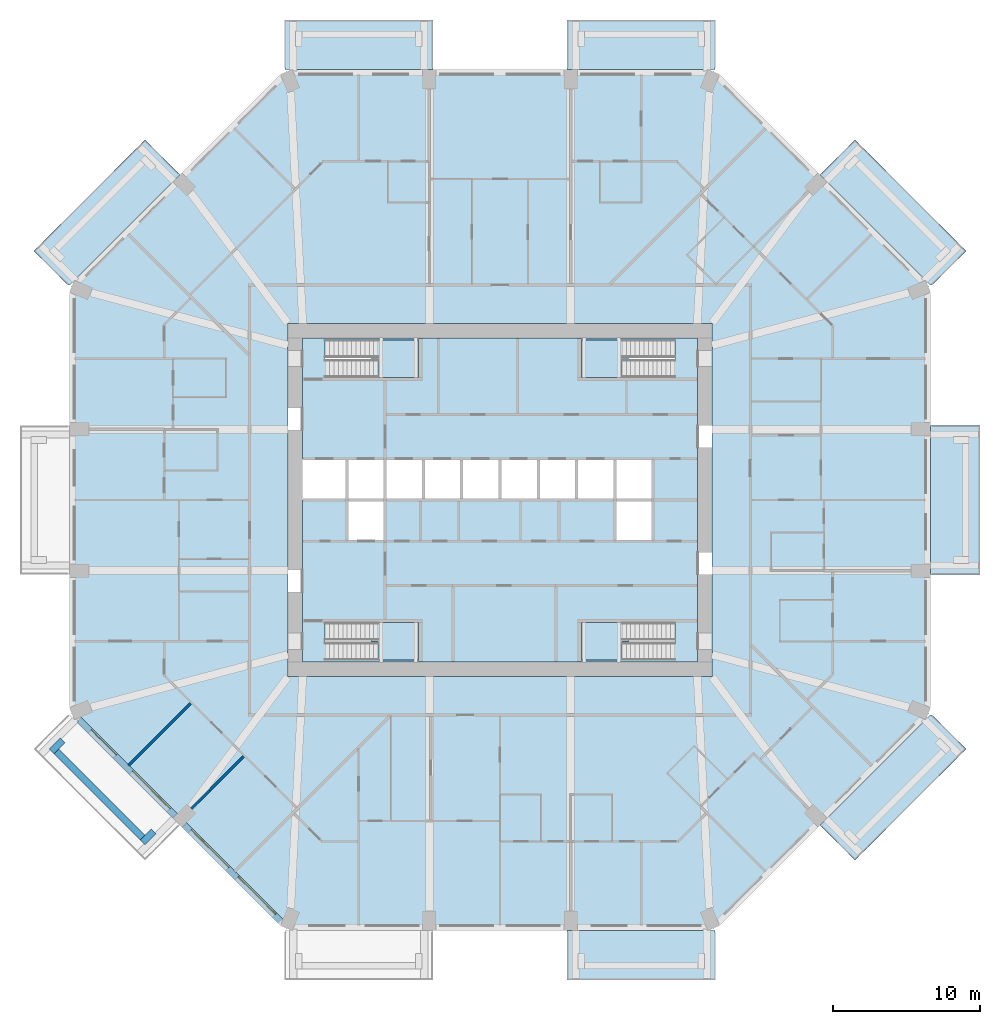
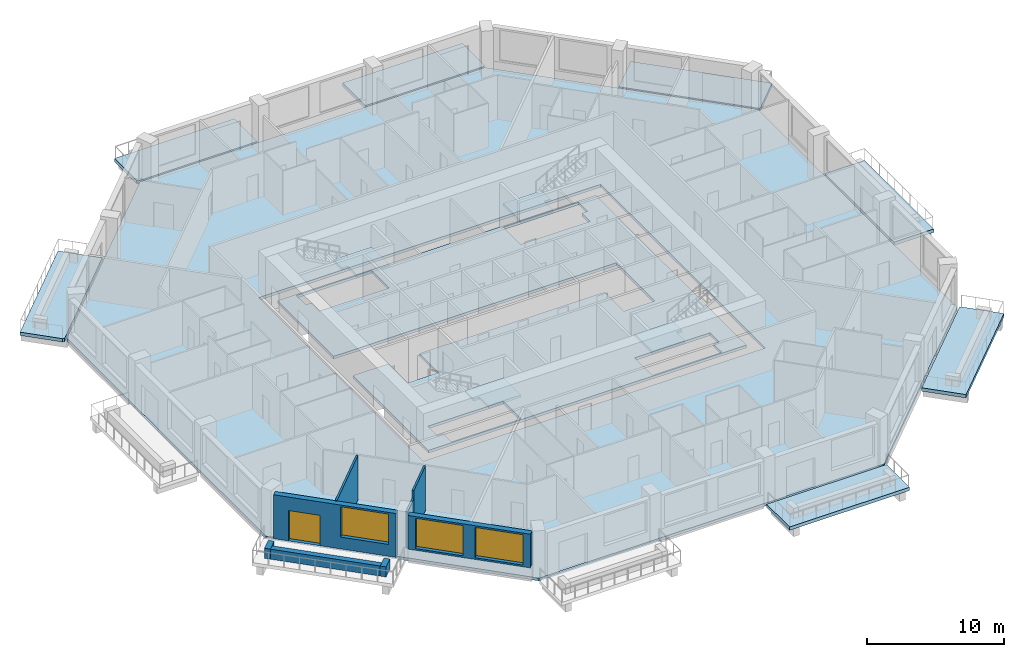
# One storey, part 2 of 13: 13 slabs, 8 walls, 3 windows, 1 door, 4 openings, 4 elements without a shape of their own.
"""IFC4 building model written with IfcOpenShell, lengths in metres."""

from ifc_helpers import new_model, si_unit, direction, frame, frame_2d, origin, place, context, subcontext, project, spatial, polyline, rectangle, outline, extrude, material, layer, layer_set, type_object, element, fill, aggregate, save


model = new_model("IFC4")

# Units and contexts
model_context = context("Model", 3, precision=1e-05, world=origin(), true_north=direction((0.0, 1.0)))
body_context = subcontext(model_context, "Body", "Model", "MODEL_VIEW")
ifc_project = project(units=[si_unit("LENGTHUNIT", "METRE"), si_unit("AREAUNIT", "SQUARE_METRE"), si_unit("VOLUMEUNIT", "CUBIC_METRE"), si_unit("PLANEANGLEUNIT", "RADIAN"), si_unit("MASSUNIT", "GRAM", prefix="KILO")], contexts=[model_context])

# Site, building, storey
site_placement = place(None, origin())
site = spatial("IfcSite", under=ifc_project, at=site_placement, CompositionType="ELEMENT")
building_placement = place(site_placement, origin())
building = spatial("IfcBuilding", under=site, at=building_placement, Name="Msitu Wima Residences", CompositionType="ELEMENT")
storey_placement = place(building_placement, frame((0.0, 0.0, 71.699951171875)))
storey = spatial("IfcBuildingStorey", under=building, at=storey_placement, Name="L16", CompositionType="ELEMENT", Elevation=71.699951171875)

# Slabs
ifc_material_1 = material(Name="Concrete C40/50", Category="concrete")
ifc_layer_1 = layer(ifc_material_1, 0.300048828125)
ifc_layer_set_1 = layer_set([ifc_layer_1], Name="Concrete C40/50")
slab_type_1 = type_object("IfcSlabType", Name="Balcony slab BS300", PredefinedType="FLOOR", material=ifc_layer_set_1)
slab_1_placement = place(storey_placement, frame((0.0, 0.0, -0.300048828125)))
element("IfcSlab", 1, at=slab_1_placement, inside=storey, type_object=slab_type_1, Name="Balcony E1 L16", PredefinedType="FLOOR", context=body_context, shape_type="SweptSolid", body=[
    extrude(outline(polyline([(29.25, -4.35009765625), (29.25, 4.35009765625), (29.25, 5.050048828125), (32.60009765625, 5.050048828125), (32.60009765625, -5.050048828125), (29.25, -5.050048828125), (29.25, -4.35009765625)])), origin(), (0.0, 0.0, 1.0), 0.300048828125),
])
slab_2_placement = place(storey_placement, frame((0.0, 0.0, -0.300048828125)))
element("IfcSlab", 2, at=slab_2_placement, inside=storey, type_object=slab_type_1, Name="Balcony NE0 L16", PredefinedType="FLOOR", context=body_context, shape_type="SweptSolid", body=[
    extrude(outline(polyline([(24.1103515625, 24.4638671875), (31.663818359375, 16.91015625), (29.403564453125, 14.64990234375), (29.25, 14.58642578125), (21.741455078125, 22.094970703125), (24.1103515625, 24.4638671875)])), origin(), (0.0, 0.0, 1.0), 0.300048828125),
])
slab_3_placement = place(storey_placement, frame((0.0, 0.0, -0.300048828125)))
element("IfcSlab", 3, at=slab_3_placement, inside=storey, type_object=slab_type_1, Name="Balcony N0 L16", PredefinedType="FLOOR", context=body_context, shape_type="SweptSolid", body=[
    extrude(outline(polyline([(14.099365234375, 29.25), (14.099365234375, 29.25), (5.25, 29.25), (4.550048828125, 29.25), (4.550048828125, 32.60009765625), (14.64990234375, 32.60009765625), (14.64990234375, 29.403564453125), (14.58642578125, 29.25), (14.099365234375, 29.25), (14.099365234375, 29.25)])), origin(), (0.0, 0.0, 1.0), 0.300048828125),
])
slab_4_placement = place(storey_placement, frame((0.0, 0.0, -0.300048828125)))
element("IfcSlab", 4, at=slab_4_placement, inside=storey, type_object=slab_type_1, Name="Balcony N2 L16", PredefinedType="FLOOR", context=body_context, shape_type="SweptSolid", body=[
    extrude(outline(polyline([(-14.099365234375, 29.25), (-14.099365234375, 29.25), (-14.099365234375, 29.25), (-14.58642578125, 29.25), (-14.64990234375, 29.403564453125), (-14.64990234375, 32.60009765625), (-4.550048828125, 32.60009765625), (-4.550048828125, 29.25), (-5.25, 29.25), (-14.099365234375, 29.25)])), origin(), (0.0, 0.0, 1.0), 0.300048828125),
])
slab_5_placement = place(storey_placement, frame((0.0, 0.0, -0.300048828125)))
element("IfcSlab", 5, at=slab_5_placement, inside=storey, type_object=slab_type_1, Name="Balcony NW1 L16", PredefinedType="FLOOR", context=body_context, shape_type="SweptSolid", body=[
    extrude(outline(polyline([(-31.663818359375, 16.91015625), (-24.1103515625, 24.4638671875), (-21.741455078125, 22.094970703125), (-29.25, 14.58642578125), (-29.403564453125, 14.64990234375), (-31.663818359375, 16.91015625)])), origin(), (0.0, 0.0, 1.0), 0.300048828125),
])
slab_6_placement = place(storey_placement, frame((0.0, 0.0, -0.300048828125)))
element("IfcSlab", 6, at=slab_6_placement, inside=storey, type_object=slab_type_1, Name="Balcony S2 L16", PredefinedType="FLOOR", context=body_context, shape_type="SweptSolid", body=[
    extrude(outline(polyline([(14.099365234375, -29.25), (14.099365234375, -29.25), (14.099365234375, -29.25), (14.58642578125, -29.25), (14.64990234375, -29.403564453125), (14.64990234375, -32.60009765625), (4.550048828125, -32.60009765625), (4.550048828125, -29.25), (5.25, -29.25), (14.099365234375, -29.25)])), origin(), (0.0, 0.0, 1.0), 0.300048828125),
])
slab_7_placement = place(storey_placement, frame((0.0, 0.0, -0.300048828125)))
element("IfcSlab", 7, at=slab_7_placement, inside=storey, type_object=slab_type_1, Name="Balcony SE1 L16", PredefinedType="FLOOR", context=body_context, shape_type="SweptSolid", body=[
    extrude(outline(polyline([(31.663818359375, -16.91015625), (24.1103515625, -24.4638671875), (21.741455078125, -22.094970703125), (29.25, -14.58642578125), (29.403564453125, -14.64990234375), (31.663818359375, -16.91015625)])), origin(), (0.0, 0.0, 1.0), 0.300048828125),
])
ifc_layer_2 = layer(ifc_material_1, 0.25)
ifc_layer_set_2 = layer_set([ifc_layer_2], Name="Concrete C40/50")
slab_type_2 = type_object("IfcSlabType", Name="Core floor CF250", PredefinedType="FLOOR", material=ifc_layer_set_2)
slab_8_placement = place(storey_placement, frame((0.0, 0.0, -0.25)))
element("IfcSlab", 8, at=slab_8_placement, inside=storey, type_object=slab_type_2, Name="Core floor", PredefinedType="FLOOR", context=body_context, shape_type="SweptSolid", body=[
    extrude(outline(polyline([(-13.39990234375, 11.0), (-13.39990234375, 2.800048828125), (-10.39990234375, 2.800048828125), (-7.800048828125, 2.800048828125), (-5.199951171875, 2.800048828125), (-2.60009765625, 2.800048828125), (0.0, 2.800048828125), (2.60009765625, 2.800048828125), (5.199951171875, 2.800048828125), (7.800048828125, 2.800048828125), (10.39990234375, 2.800048828125), (10.39990234375, 0.0), (10.39990234375, -2.800048828125), (7.800048828125, -2.800048828125), (7.800048828125, 0.0), (5.199951171875, 0.0), (2.60009765625, 0.0), (0.0, 0.0), (-2.60009765625, 0.0), (-5.199951171875, 0.0), (-7.800048828125, 0.0), (-7.800048828125, -2.800048828125), (-10.39990234375, -2.800048828125), (-10.39990234375, 0.0), (-13.39990234375, 0.0), (-13.39990234375, -11.0), (13.39990234375, -11.0), (13.39990234375, 11.0), (-13.39990234375, 11.0)]), holes=[polyline([(-11.375, -10.875), (-11.375, -9.675048828125), (-11.87451171875, -9.675048828125), (-11.87451171875, -8.324951171875), (-5.52490234375, -8.324951171875), (-5.52490234375, -10.875), (-11.375, -10.875)]), polyline([(-11.375, 9.52490234375), (-11.87451171875, 9.52490234375), (-11.87451171875, 10.875), (-5.52490234375, 10.875), (-5.52490234375, 8.324951171875), (-11.375, 8.324951171875), (-11.375, 9.52490234375)]), polyline([(11.375, -9.675048828125), (11.375, -10.875), (5.52490234375, -10.875), (5.52490234375, -8.324951171875), (11.87451171875, -8.324951171875), (11.87451171875, -9.675048828125), (11.375, -9.675048828125)]), polyline([(11.375, 9.52490234375), (11.375, 8.324951171875), (5.52490234375, 8.324951171875), (5.52490234375, 10.875), (11.87451171875, 10.875), (11.87451171875, 9.52490234375), (11.375, 9.52490234375)])]), origin(), (0.0, 0.0, 1.0), 0.25),
])
ifc_layer_3 = layer(ifc_material_1, 0.25)
ifc_layer_set_3 = layer_set([ifc_layer_3], Name="Concrete C40/50")
slab_type_3 = type_object("IfcSlabType", Name="PT flat slab 250 Concrete C40/50", PredefinedType="FLOOR", material=ifc_layer_set_3)
slab_9_placement = place(storey_placement, frame((0.0, 0.0, -0.25)))
element("IfcSlab", 9, at=slab_9_placement, inside=storey, type_object=slab_type_3, Name="Floor slab L16", PredefinedType="FLOOR", context=body_context, shape_type="SweptSolid", body=[
    extrude(outline(polyline([(29.10009765625, -14.524169921875), (14.524169921875, -29.10009765625), (-14.524169921875, -29.10009765625), (-29.10009765625, -14.524169921875), (-29.10009765625, 14.524169921875), (-14.524169921875, 29.10009765625), (14.524169921875, 29.10009765625), (29.10009765625, 14.524169921875), (29.10009765625, -14.524169921875)]), holes=[polyline([(-14.39990234375, -12.0), (14.39990234375, -12.0), (14.39990234375, 12.0), (-14.39990234375, 12.0), (-14.39990234375, -12.0)])]), origin(), (0.0, 0.0, 1.0), 0.25),
])

# Stair, slab
stair_type = type_object("IfcStairType", Name="Exit stair ES1615-120", PredefinedType="HALF_TURN_STAIR", material=ifc_material_1)
stair_1_placement = place(storey_placement, origin())
stair_1 = element("IfcStair", 10, at=stair_1_placement, inside=storey, type_object=stair_type, Name="Exit stair 1", PredefinedType="HALF_TURN_STAIR")
ifc_layer_4 = layer(ifc_material_1, 0.199951171875)
ifc_layer_set_4 = layer_set([ifc_layer_4], Name="Concrete C40/50")
slab_type_4 = type_object("IfcSlabType", Name="Stair landing SL200", PredefinedType="LANDING", material=ifc_layer_set_4)
slab_10_placement = place(storey_placement, frame((0.0, 0.0, 1.900146484375)))
slab_10 = element("IfcSlab", 11, at=slab_10_placement, type_object=slab_type_4, Name="S1 landing 1", PredefinedType="LANDING", context=body_context, shape_type="SweptSolid", body=[
    extrude(outline(polyline([(-5.52490234375, 8.324951171875), (-8.275390625, 8.324951171875), (-8.275390625, 9.60009765625), (-8.77490234375, 9.60009765625), (-8.77490234375, 10.875), (-5.52490234375, 10.875), (-5.52490234375, 8.324951171875)])), origin(), (0.0, 0.0, 1.0), 0.199951171875),
])
aggregate(stair_1, [slab_10])

stair_2_placement = place(storey_placement, origin())
stair_2 = element("IfcStair", 12, at=stair_2_placement, inside=storey, type_object=stair_type, Name="Exit stair 2", PredefinedType="HALF_TURN_STAIR")
slab_11_placement = place(storey_placement, frame((0.0, 0.0, 1.900146484375)))
slab_11 = element("IfcSlab", 13, at=slab_11_placement, type_object=slab_type_4, Name="S2 landing 1", PredefinedType="LANDING", context=body_context, shape_type="SweptSolid", body=[
    extrude(outline(polyline([(-5.52490234375, -10.875), (-8.275390625, -10.875), (-8.275390625, -9.60009765625), (-8.77490234375, -9.60009765625), (-8.77490234375, -8.324951171875), (-5.52490234375, -8.324951171875), (-5.52490234375, -10.875)])), origin(), (0.0, 0.0, 1.0), 0.199951171875),
])
aggregate(stair_2, [slab_11])

stair_3_placement = place(storey_placement, origin())
stair_3 = element("IfcStair", 14, at=stair_3_placement, inside=storey, type_object=stair_type, Name="Exit stair 3", PredefinedType="HALF_TURN_STAIR")
slab_12_placement = place(storey_placement, frame((0.0, 0.0, 1.900146484375)))
slab_12 = element("IfcSlab", 15, at=slab_12_placement, type_object=slab_type_4, Name="S3 landing 1", PredefinedType="LANDING", context=body_context, shape_type="SweptSolid", body=[
    extrude(outline(polyline([(5.52490234375, 8.324951171875), (8.275390625, 8.324951171875), (8.275390625, 9.60009765625), (8.77490234375, 9.60009765625), (8.77490234375, 10.875), (5.52490234375, 10.875), (5.52490234375, 8.324951171875)])), origin(), (0.0, 0.0, 1.0), 0.199951171875),
])
aggregate(stair_3, [slab_12])

stair_4_placement = place(storey_placement, origin())
stair_4 = element("IfcStair", 16, at=stair_4_placement, inside=storey, type_object=stair_type, Name="Exit stair 4", PredefinedType="HALF_TURN_STAIR")
slab_13_placement = place(storey_placement, frame((0.0, 0.0, 1.900146484375)))
slab_13 = element("IfcSlab", 17, at=slab_13_placement, type_object=slab_type_4, Name="S4 landing 1", PredefinedType="LANDING", context=body_context, shape_type="SweptSolid", body=[
    extrude(outline(polyline([(5.52490234375, -10.875), (8.275390625, -10.875), (8.275390625, -9.60009765625), (8.77490234375, -9.60009765625), (8.77490234375, -8.324951171875), (5.52490234375, -8.324951171875), (5.52490234375, -10.875)])), origin(), (0.0, 0.0, 1.0), 0.199951171875),
])
aggregate(stair_4, [slab_13])

# Walls
ifc_material_2 = material(Name="Facing brick")
ifc_layer_5 = layer(ifc_material_2, 0.06494140625, Name="Facing brick")
ifc_layer_6 = layer(ifc_material_1, 0.156005859375, Name="Concrete C40/50")
ifc_material_3 = material(Name="Waterproofing membrane")
ifc_layer_7 = layer(ifc_material_3, 0.00390625, Name="Waterproofing membrane")
ifc_material_4 = material(Name="Planting soil and planting")
ifc_layer_8 = layer(ifc_material_4, 0.22509765625, Name="Planting soil and planting")
ifc_layer_set_5 = layer_set([ifc_layer_5, ifc_layer_6, ifc_layer_7, ifc_layer_8], Name="Concrete C40/50")
wall_type_1 = type_object("IfcWallType", Name="Balcony planter PLANTER PL450", PredefinedType="USERDEFINED", material=ifc_layer_set_5)
wall_1_placement = place(storey_placement, frame((-30.125732421875, -17.0693359375, 0.0), z_axis=(0.0, 0.0, 1.0), x_axis=(0.707106781187, -0.707106781187, 0.0)))
element("IfcWall", 18, at=wall_1_placement, inside=storey, type_object=wall_type_1, Name="Balcony planter SW0 L16", ObjectType="PLANTER", PredefinedType="USERDEFINED", context=body_context, shape_type="SweptSolid", body=[
    extrude(rectangle(XDim=8.2822265625, YDim=0.449951171875, at=frame_2d((4.14111328125, 0.0))), origin(), (0.0, 0.0, 1.0), 0.900146484375),
])
for number, where, z_axis, x_axis, name in (
    (19, (-29.70166015625, -16.326904296875, 0.0), (0.0, 0.0, 1.0), (-0.707106781187, -0.707106781187, 0.0), "Balcony planter SW0 L16"),
    (20, (-23.52685546875, -22.50146484375, 0.0), (0.0, 0.0, 1.0), (-0.706990528533, -0.707223014731, 0.0), "Balcony planter SW0 L16"),
):
    element("IfcWall", number, at=place(storey_placement, frame(where, z_axis=z_axis, x_axis=x_axis)), inside=storey, type_object=wall_type_1, Name=name, ObjectType="PLANTER", PredefinedType="USERDEFINED", context=body_context, shape_type="SweptSolid", body=[
        extrude(rectangle(XDim=1.050048828125, YDim=0.449951171875, at=frame_2d((0.52490234375, 0.0))), origin(), (0.0, 0.0, 1.0), 0.900146484375),
    ])

# Wall, openings, door, window
ifc_material_5 = material(Name="Brick (red buff mix)", Category="masonry")
ifc_layer_9 = layer(ifc_material_5, 0.449951171875)
ifc_layer_set_6 = layer_set([ifc_layer_9], Name="Brick (red buff mix)")
wall_type_2 = type_object("IfcWallType", Name="Brick infill wall BW450", PredefinedType="SOLIDWALL", material=ifc_layer_set_6)
wall_2_placement = place(storey_placement, frame((-28.61474609375, -14.903564453125, 0.0), z_axis=(0.0, 0.0, 1.0), x_axis=(0.707106781187, -0.707106781187, 0.0)))
wall_2 = element("IfcWall", 21, at=wall_2_placement, inside=storey, type_object=wall_type_2, Name="Brick infill wall L16 SW0", PredefinedType="SOLIDWALL", context=body_context, shape_type="SweptSolid", body=[
    extrude(rectangle(XDim=9.2451171875, YDim=0.449951171875, at=frame_2d((4.62255859375, 0.0))), origin(), (0.0, 0.0, 1.0), 3.900146484375),
])
opening_1_placement = place(wall_2_placement, frame((1.111328125, 0.0, 0.0)))
opening_1 = element("IfcOpeningElement", 22, at=opening_1_placement, cuts=wall_2, Name="Opening D16-17.009", PredefinedType="OPENING", context=body_context, shape_type="SweptSolid", body=[
    extrude(rectangle(XDim=2.39990234375, YDim=2.699951171875, at=frame_2d((1.199951171875, 1.35009765625))), frame((0.0, 0.23486328125, 0.0), z_axis=(0.0, -1.0, 0.0), x_axis=(1.0, 0.0, 0.0)), (0.0, 0.0, 1.0), 0.469970703125),
])
opening_2_placement = place(wall_2_placement, frame((5.072509765625, 0.0, 1.050048828125)))
opening_2 = element("IfcOpeningElement", 23, at=opening_2_placement, cuts=wall_2, Name="Opening W16-17.023", PredefinedType="OPENING", context=body_context, shape_type="SweptSolid", body=[
    extrude(rectangle(XDim=3.60009765625, YDim=2.699951171875, at=frame_2d((1.800048828125, 1.35009765625))), frame((0.0, 0.23486328125, 0.0), z_axis=(0.0, -1.0, 0.0), x_axis=(1.0, 0.0, 0.0)), (0.0, 0.0, 1.0), 0.469970703125),
])
ifc_material_6 = material(Name="Anodised aluminium, bronze finish, clear low-emissivity double glazing", Category="aluminium")
door_type = type_object("IfcDoorType", Name="Balcony door D2400x2700", OperationType="SLIDING_TO_LEFT", PredefinedType="DOOR", material=ifc_material_6)
door_placement = place(opening_1_placement, origin())
door = element("IfcDoor", 24, at=door_placement, inside=storey, type_object=door_type, Name="Balcony door L16 SW0", OperationType="SINGLE_SWING_LEFT", OverallHeight=2.699951171875, OverallWidth=2.39990234375, PredefinedType="DOOR", context=body_context, shape_type="SweptSolid", body=[
    extrude(rectangle(XDim=2.39990234375, YDim=2.699951171875, at=frame_2d((1.199951171875, 1.35009765625))), frame((0.0, 0.1298828125, 0.0), z_axis=(0.0, -1.0, 0.0), x_axis=(1.0, 0.0, 0.0)), (0.0, 0.0, 1.0), 0.050048828125),
])
fill(opening_1, door)
window_type = type_object("IfcWindowType", Name="Window W3600x2700", PartitioningType="DOUBLE_PANEL_VERTICAL", PredefinedType="WINDOW", material=ifc_material_6)
window_1_placement = place(opening_2_placement, origin())
window_1 = element("IfcWindow", 25, at=window_1_placement, inside=storey, type_object=window_type, Name="Window L16 SW0.2", OverallHeight=2.699951171875, OverallWidth=3.60009765625, PartitioningType="SINGLE_PANEL", PredefinedType="WINDOW", context=body_context, shape_type="SweptSolid", body=[
    extrude(rectangle(XDim=3.60009765625, YDim=2.699951171875, at=frame_2d((1.800048828125, 1.35009765625))), frame((0.0, 0.135009765625, 0.0), z_axis=(0.0, -1.0, 0.0), x_axis=(1.0, 0.0, 0.0)), (0.0, 0.0, 1.0), 0.06005859375),
])
fill(opening_2, window_1)

# Wall, openings, windows
wall_3_placement = place(storey_placement, frame((-21.44091796875, -22.077392578125, 0.900146484375), z_axis=(0.0, 0.0, 1.0), x_axis=(0.707106781187, -0.707106781187, 0.0)))
wall_3 = element("IfcWall", 26, at=wall_3_placement, inside=storey, type_object=wall_type_2, Name="Brick infill wall L16 SW1", PredefinedType="SOLIDWALL", context=body_context, shape_type="SweptSolid", body=[
    extrude(rectangle(XDim=9.2451171875, YDim=0.449951171875, at=frame_2d((4.62255859375, 0.0))), origin(), (0.0, 0.0, 1.0), 3.0),
])
opening_3_placement = place(wall_3_placement, frame((0.572509765625, 0.0, 0.14990234375)))
opening_3 = element("IfcOpeningElement", 27, at=opening_3_placement, cuts=wall_3, Name="Opening W16-17.024", PredefinedType="OPENING", context=body_context, shape_type="SweptSolid", body=[
    extrude(rectangle(XDim=3.60009765625, YDim=2.699951171875, at=frame_2d((1.800048828125, 1.35009765625))), frame((0.0, 0.23486328125, 0.0), z_axis=(0.0, -1.0, 0.0), x_axis=(1.0, 0.0, 0.0)), (0.0, 0.0, 1.0), 0.469970703125),
])
opening_4_placement = place(wall_3_placement, frame((5.072509765625, 0.0, 0.14990234375)))
opening_4 = element("IfcOpeningElement", 28, at=opening_4_placement, cuts=wall_3, Name="Opening W16-17.025", PredefinedType="OPENING", context=body_context, shape_type="SweptSolid", body=[
    extrude(rectangle(XDim=3.60009765625, YDim=2.699951171875, at=frame_2d((1.800048828125, 1.35009765625))), frame((0.0, 0.23486328125, 0.0), z_axis=(0.0, -1.0, 0.0), x_axis=(1.0, 0.0, 0.0)), (0.0, 0.0, 1.0), 0.469970703125),
])
window_2_placement = place(opening_3_placement, origin())
window_2 = element("IfcWindow", 29, at=window_2_placement, inside=storey, type_object=window_type, Name="Window L16 SW1.1", OverallHeight=2.699951171875, OverallWidth=3.60009765625, PartitioningType="SINGLE_PANEL", PredefinedType="WINDOW", context=body_context, shape_type="SweptSolid", body=[
    extrude(rectangle(XDim=3.60009765625, YDim=2.699951171875, at=frame_2d((1.800048828125, 1.35009765625))), frame((0.0, 0.135009765625, 0.0), z_axis=(0.0, -1.0, 0.0), x_axis=(1.0, 0.0, 0.0)), (0.0, 0.0, 1.0), 0.06005859375),
])
fill(opening_3, window_2)
window_3_placement = place(opening_4_placement, origin())
window_3 = element("IfcWindow", 30, at=window_3_placement, inside=storey, type_object=window_type, Name="Window L16 SW1.2", OverallHeight=2.699951171875, OverallWidth=3.60009765625, PartitioningType="SINGLE_PANEL", PredefinedType="WINDOW", context=body_context, shape_type="SweptSolid", body=[
    extrude(rectangle(XDim=3.60009765625, YDim=2.699951171875, at=frame_2d((1.800048828125, 1.35009765625))), frame((0.0, 0.135009765625, 0.0), z_axis=(0.0, -1.0, 0.0), x_axis=(1.0, 0.0, 0.0)), (0.0, 0.0, 1.0), 0.06005859375),
])
fill(opening_4, window_3)

# Walls
ifc_material_7 = material(Name="Plaster")
ifc_layer_10 = layer(ifc_material_7, 0.011962890625, Name="Plaster")
ifc_material_8 = material(Name="Concrete blockwork", Category="masonry")
ifc_layer_11 = layer(ifc_material_8, 0.1259765625, Name="Concrete blockwork")
ifc_layer_12 = layer(ifc_material_7, 0.011962890625, Name="Plaster")
ifc_layer_set_7 = layer_set([ifc_layer_10, ifc_layer_11, ifc_layer_12], Name="Concrete blockwork")
wall_type_3 = type_object("IfcWallType", Name="Partition PW150", PredefinedType="PARTITIONING", material=ifc_layer_set_7)
wall_4_placement = place(storey_placement, frame((-25.23876953125, -18.038818359375, 0.0), z_axis=(0.0, 0.0, 1.0), x_axis=(0.707086367289, 0.707127194494, 0.0)))
element("IfcWall", 31, at=wall_4_placement, inside=storey, type_object=wall_type_3, Name="Partition", PredefinedType="PARTITIONING", context=body_context, shape_type="SweptSolid", body=[
    extrude(rectangle(XDim=5.979736328125, YDim=0.14990234375, at=frame_2d((2.98974609375, 0.0))), origin(), (0.0, 0.0, 1.0), 3.949951171875),
])
wall_5_placement = place(storey_placement, frame((-20.963623046875, -20.963623046875, 0.0), z_axis=(0.0, 0.0, 1.0), x_axis=(0.707106781187, 0.707106781187, 0.0)))
element("IfcWall", 32, at=wall_5_placement, inside=storey, type_object=wall_type_3, Name="Partition", PredefinedType="PARTITIONING", context=body_context, shape_type="SweptSolid", body=[
    extrude(rectangle(XDim=1.74853515625, YDim=0.14990234375, at=frame_2d((0.874267578125, 0.0))), origin(), (0.0, 0.0, 1.0), 3.25),
])
wall_6_placement = place(storey_placement, frame((-19.727294921875, -19.727294921875, 0.0), z_axis=(0.0, 0.0, 1.0), x_axis=(0.707106781187, 0.707106781187, 0.0)))
element("IfcWall", 33, at=wall_6_placement, inside=storey, type_object=wall_type_3, Name="Partition", PredefinedType="PARTITIONING", context=body_context, shape_type="SweptSolid", body=[
    extrude(rectangle(XDim=3.276611328125, YDim=0.14990234375, at=frame_2d((1.63818359375, 0.0))), origin(), (0.0, 0.0, 1.0), 3.949951171875),
])

save(model, "model.ifc")
